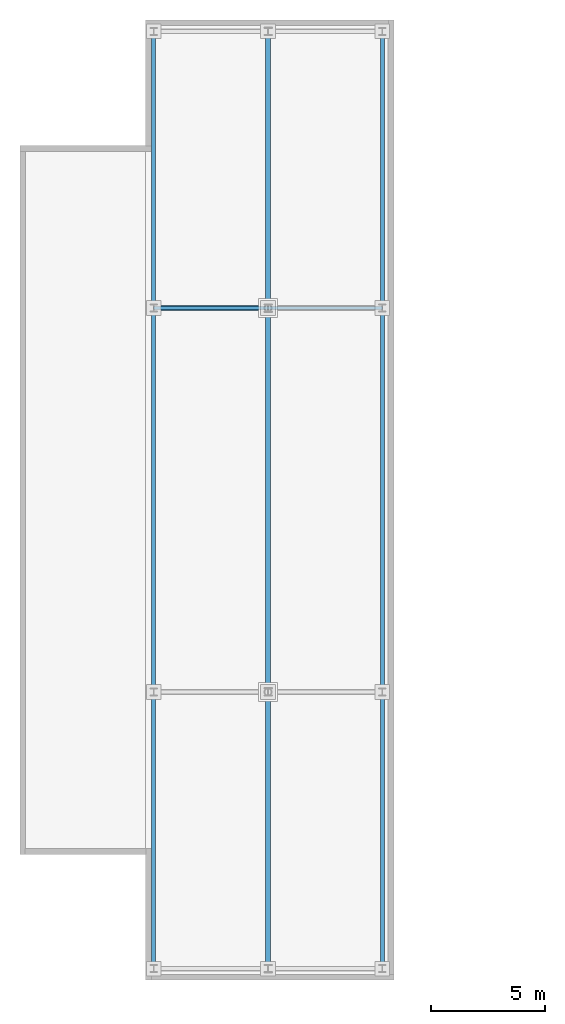
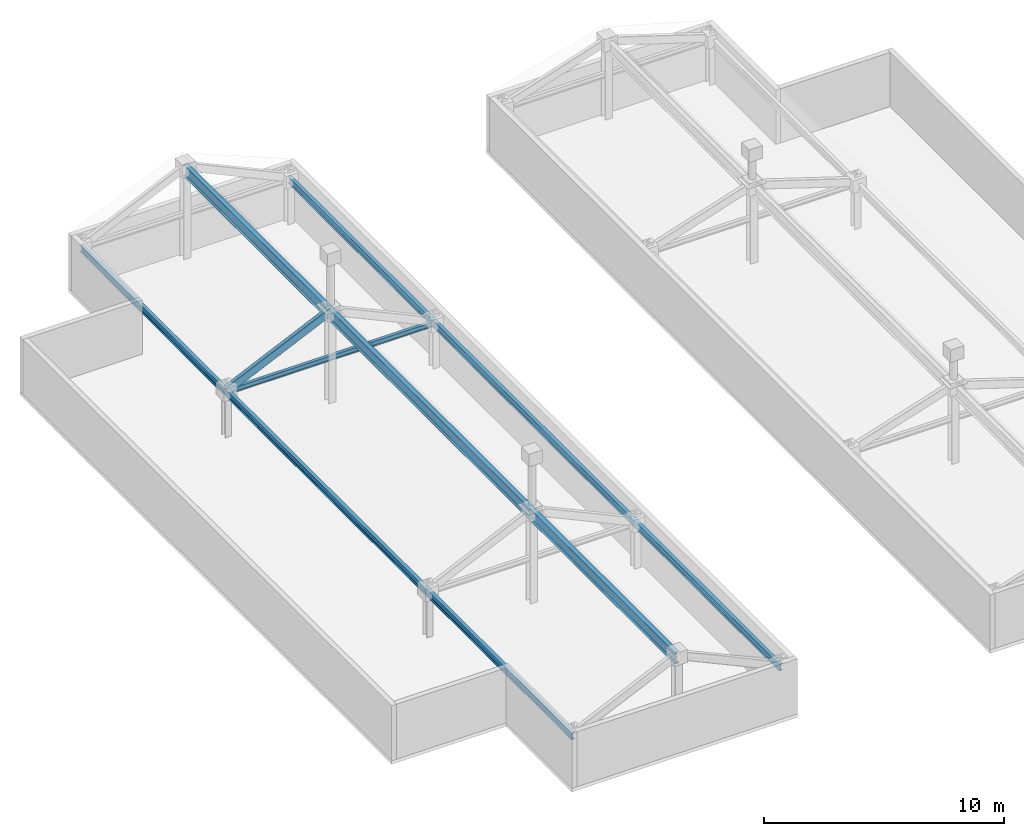
# One storey, part 4 of 9: 4 beams, 1 member.
"""IFC4 building model written with IfcOpenShell, lengths in metres."""

import ifcopenshell
import ifcopenshell.guid

model = None  # the IFC model being written
_history = None  # IfcOwnerHistory: only IFC2X3 demands one
_inside = {}  # id of a spatial element -> (the spatial element, [elements in it])
_under = {}  # id of a project, library or spatial element -> (it, [spatial elements below it])
_declared = {}  # id of a project -> (the project, [libraries it declares])
_typed = {}  # id of a type object -> (the type object, [elements of that type])
_made_of = {}  # id of a material, layer set ... -> (it, [elements and type objects made of it])


def new_model(schema):
    """Start an empty IFC model of exactly this schema.

    Asked for "IFC4X3", IfcOpenShell would pick the latest addendum, in which some entities
    have other attributes; the version numbers below select the first issue.
    IFC2X3 requires an IfcOwnerHistory on every rooted entity: one is made here for all.
    """
    global model, _history
    if schema == "IFC4X3":
        model = ifcopenshell.file(schema_version=(4, 3, 0, 0))
    else:
        model = ifcopenshell.file(schema=schema)
    _inside.clear()
    _under.clear()
    _declared.clear()
    _typed.clear()
    _made_of.clear()
    _history = None
    if model.schema == "IFC2X3":
        org = make("IfcOrganization", Name="unknown")
        user = make(
            "IfcPersonAndOrganization",
            ThePerson=make("IfcPerson", FamilyName="unknown"),
            TheOrganization=org,
        )
        app = make(
            "IfcApplication",
            ApplicationDeveloper=org,
            Version="unknown",
            ApplicationFullName="unknown",
            ApplicationIdentifier="unknown",
        )
        _history = make(
            "IfcOwnerHistory",
            OwningUser=user,
            OwningApplication=app,
            ChangeAction="ADDED",
            CreationDate=0,
        )
    return model


def make(cls, **values):
    """One entity of the class cls with the attributes given. An attribute that is None is left unset."""
    return model.create_entity(
        cls, **{name: value for name, value in values.items() if value is not None}
    )


def rooted(cls, **values):
    """An entity with a GlobalId (a new one), such as an element, a storey or a relation."""
    return make(cls, GlobalId=ifcopenshell.guid.new(), OwnerHistory=_history, **values)


def si_unit(unit_type, name, prefix=None):
    """IfcSIUnit, for example si_unit("LENGTHUNIT", "METRE", prefix="MILLI")."""
    return make("IfcSIUnit", UnitType=unit_type, Prefix=prefix, Name=name)


def assignment(units):
    """IfcUnitAssignment: the units of a project."""
    return None if units is None else make("IfcUnitAssignment", Units=units)


def point(xyz):
    """IfcCartesianPoint."""
    return None if xyz is None else make("IfcCartesianPoint", Coordinates=xyz)


def direction(xyz):
    """IfcDirection."""
    return None if xyz is None else make("IfcDirection", DirectionRatios=xyz)


def frame(location, z_axis=None, x_axis=None):
    """IfcAxis2Placement3D, a coordinate frame: its origin and axes. An axis left out is left unset."""
    return make(
        "IfcAxis2Placement3D",
        Location=point(location),
        Axis=direction(z_axis),
        RefDirection=direction(x_axis),
    )


def frame_2d(location, x_axis=None):
    """IfcAxis2Placement2D, a coordinate frame in the plane: its origin and x axis."""
    return make(
        "IfcAxis2Placement2D", Location=point(location), RefDirection=direction(x_axis)
    )


def origin():
    """The frame at (0, 0, 0) with its axes left unset."""
    return frame((0.0, 0.0, 0.0))


def origin_2d():
    """The frame at (0, 0) in the plane with its x axis left unset."""
    return frame_2d((0.0, 0.0))


def place(relative_to, where):
    """IfcLocalPlacement: puts the frame where relative to a parent placement (None: the world)."""
    return make(
        "IfcLocalPlacement", PlacementRelTo=relative_to, RelativePlacement=where
    )


def context(
    kind, dimensions, precision=None, world=None, true_north=None, identifier=None
):
    """IfcGeometricRepresentationContext, for example the 3D "Model" context."""
    return make(
        "IfcGeometricRepresentationContext",
        ContextIdentifier=identifier,
        ContextType=kind,
        CoordinateSpaceDimension=dimensions,
        Precision=precision,
        WorldCoordinateSystem=world,
        TrueNorth=true_north,
    )


def subcontext(parent, identifier, kind, view, scale=None):
    """IfcGeometricRepresentationSubContext, for example "Body" below "Model"."""
    return make(
        "IfcGeometricRepresentationSubContext",
        ContextIdentifier=identifier,
        ContextType=kind,
        ParentContext=parent,
        TargetScale=scale,
        TargetView=view,
    )


def project(units=None, contexts=None):
    """IfcProject with its units and contexts."""
    return rooted(
        "IfcProject",
        Name="project",
        RepresentationContexts=contexts,
        UnitsInContext=assignment(units),
    )


def spatial(cls, under=None, at=None, **own):
    """A site, building, storey or space (cls), placed at a placement, below another one or the project."""
    s = rooted(cls, ObjectPlacement=at, **own)
    if under is not None:
        _under.setdefault(under.id(), (under, []))[1].append(s)
    return s


def profile(cls, at=None, kind="AREA", **sizes):
    """A parametric profile (cls). Its sizes go by their IFC names, for example OverallWidth=200.0."""
    return make(cls, ProfileType=kind, Position=at, **sizes)


def hollow_rectangle(**sizes):
    """IfcRectangleHollowProfileDef."""
    return profile("IfcRectangleHollowProfileDef", **sizes)


def i_section(**sizes):
    """IfcIShapeProfileDef."""
    return profile("IfcIShapeProfileDef", **sizes)


def extrude(swept, where, along, depth):
    """IfcExtrudedAreaSolid: the profile swept, set in the frame where, extruded along a direction by depth."""
    return make(
        "IfcExtrudedAreaSolid",
        SweptArea=swept,
        Position=where,
        ExtrudedDirection=direction(along),
        Depth=depth,
    )


def shape(context_of_items, identifier, shape_type, items):
    """IfcShapeRepresentation: the items that make up one representation, for example the "Body"."""
    return make(
        "IfcShapeRepresentation",
        ContextOfItems=context_of_items,
        RepresentationIdentifier=identifier,
        RepresentationType=shape_type,
        Items=items,
    )


def material(Name=None, Category=None):
    """IfcMaterial."""
    return make("IfcMaterial", Name=Name, Category=Category)


def material_profile(
    of_material, cross_section, Name=None, Category=None, Priority=None
):
    """IfcMaterialProfile: a cross section and its material."""
    return make(
        "IfcMaterialProfile",
        Name=Name,
        Material=of_material,
        Profile=cross_section,
        Priority=Priority,
        Category=Category,
    )


def profile_set(profiles, Name=None, composite=None):
    """IfcMaterialProfileSet."""
    return make(
        "IfcMaterialProfileSet",
        Name=Name,
        MaterialProfiles=profiles,
        CompositeProfile=composite,
    )


def made_of(thing, what):
    """Note that an element or type object is made of a material, layer set ...; save() writes the relation."""
    if what is not None:
        _made_of.setdefault(what.id(), (what, []))[1].append(thing)
    return thing


def type_object(cls, material=None, **own):
    """A type object (cls), such as IfcWallType, which elements share."""
    return made_of(rooted(cls, **own), material)


def element(
    cls,
    number,
    at=None,
    inside=None,
    cuts=None,
    type_object=None,
    material=None,
    context=None,
    identifier="Body",
    shape_type=None,
    held_by="IfcProductDefinitionShape",
    body=None,
    shapes=None,
    **own,
):
    """One element of the class cls, such as IfcWall. Its Tag is "e" and its number.

    at: its placement. inside: the storey or other place that contains it. cuts: it is an
    opening in that element (IfcRelVoidsElement). A single representation is given by context,
    identifier, shape_type and body (its items); several are given by shapes. held_by: the class
    of the entity that holds the representations. save() writes the other relations.
    """
    e = rooted(cls, Tag="e%d" % number, ObjectPlacement=at, **own)
    if body is not None:
        shapes = [shape(context, identifier, shape_type, body)]
    if shapes is not None:
        e.Representation = make(held_by, Representations=shapes)
    if inside is not None:
        _inside.setdefault(inside.id(), (inside, []))[1].append(e)
    if cuts is not None:
        rooted(
            "IfcRelVoidsElement", RelatingBuildingElement=cuts, RelatedOpeningElement=e
        )
    if type_object is not None:
        _typed.setdefault(type_object.id(), (type_object, []))[1].append(e)
    return made_of(e, material)


def aggregate(whole, parts):
    """IfcRelAggregates: a whole, such as a stair, and the parts it consists of."""
    return rooted("IfcRelAggregates", RelatingObject=whole, RelatedObjects=parts)


def save(model, path):
    """Write the relations noted so far, then the file.

    IfcRelAggregates (storeys below a building ...), IfcRelContainedInSpatialStructure (elements
    in a storey), IfcRelDefinesByType, IfcRelAssociatesMaterial and IfcRelDeclares: one each for
    every whole, place, type object, material and project.
    """
    for whole, parts in _under.values():
        aggregate(whole, parts)
    for where, things in _inside.values():
        rooted(
            "IfcRelContainedInSpatialStructure",
            RelatedElements=things,
            RelatingStructure=where,
        )
    for kind, things in _typed.values():
        rooted("IfcRelDefinesByType", RelatedObjects=things, RelatingType=kind)
    for what, things in _made_of.values():
        rooted("IfcRelAssociatesMaterial", RelatedObjects=things, RelatingMaterial=what)
    for by, libraries in _declared.values():
        rooted("IfcRelDeclares", RelatingContext=by, RelatedDefinitions=libraries)
    model.write(path)


model = new_model("IFC4")

# Units and contexts
model_context = context("Model", 3, precision=1e-05, world=origin(), true_north=direction((0.0, 1.0)))
body_context = subcontext(model_context, "Body", "Model", "MODEL_VIEW")
ifc_project = project(units=[si_unit("LENGTHUNIT", "METRE"), si_unit("AREAUNIT", "SQUARE_METRE"), si_unit("VOLUMEUNIT", "CUBIC_METRE"), si_unit("PLANEANGLEUNIT", "RADIAN"), si_unit("MASSUNIT", "GRAM", prefix="KILO")], contexts=[model_context])

# Site, building, storey
site_placement = place(None, origin())
site = spatial("IfcSite", under=ifc_project, at=site_placement, CompositionType="ELEMENT")
building_placement = place(site_placement, origin())
building = spatial("IfcBuilding", under=site, at=building_placement, Name="Cairnveth Concourse Tower", CompositionType="ELEMENT")
storey_placement = place(building_placement, frame((0.0, 0.0, 335.5)))
storey = spatial("IfcBuildingStorey", under=building, at=storey_placement, Name="RF", CompositionType="ELEMENT", Elevation=335.5)

# Member
ifc_material_1 = material(Name="Steel C350L0 (350 MPa)", Category="steel")
ifc_material_profile_1 = material_profile(ifc_material_1, hollow_rectangle(XDim=0.199951171875, YDim=0.39990234375, WallThickness=0.012451171875, InnerFilletRadius=0.012939453125, OuterFilletRadius=0.02490234375, at=origin_2d()), Name="400x200x12.5RHS")
ifc_profile_set_1 = profile_set([ifc_material_profile_1], Name="Steel C350L0 (350 MPa)")
member_type = type_object("IfcMemberType", Name="CROWN GABLE CHORD 400X200X12.5RHS", PredefinedType="CHORD", material=ifc_profile_set_1)
member_placement = place(storey_placement, frame((36.85009765625, 47.39990234375, 2.35009765625), z_axis=(0.908503925861, 0.0, 0.417876317461), x_axis=(0.0, 1.0, 0.0)))
element("IfcMember", 1, at=member_placement, inside=storey, type_object=member_type, Name="Structural Brace GCH-WL3 RF", PredefinedType="CHORD", context=body_context, shape_type="SweptSolid", body=[
    extrude(hollow_rectangle(XDim=0.199951171875, YDim=0.39990234375, WallThickness=0.012451171875, InnerFilletRadius=0.012939453125, OuterFilletRadius=0.02490234375, at=origin_2d()), origin(), (0.0, 0.0, 1.0), 5.503662109375),
])

# Beams
ifc_material_2 = material(Name="Steel Grade 350", Category="steel")
ifc_material_profile_2 = material_profile(ifc_material_2, i_section(OverallWidth=0.22802734375, OverallDepth=0.60205078125, WebThickness=0.010498046875, FlangeThickness=0.014892578125, FilletRadius=0.013916015625, at=origin_2d()), Name="610UB101")
ifc_profile_set_2 = profile_set([ifc_material_profile_2], Name="Steel Grade 350")
beam_type_1 = type_object("IfcBeamType", Name="CROWN RIDGE BEAM 610UB101", PredefinedType="BEAM", material=ifc_profile_set_2)
beam_1_placement = place(storey_placement, frame((41.85009765625, 18.5, 4.489990234375), z_axis=(0.0, 1.0, 0.0), x_axis=(-1.0, 0.0, 0.0)))
element("IfcBeam", 2, at=beam_1_placement, inside=storey, type_object=beam_type_1, Name="Crown Peak Ridge Beam W", PredefinedType="BEAM", context=body_context, shape_type="SweptSolid", body=[
    extrude(i_section(OverallWidth=0.22802734375, OverallDepth=0.60205078125, WebThickness=0.010498046875, FlangeThickness=0.014892578125, FilletRadius=0.013916015625, at=origin_2d()), origin(), (0.0, 0.0, 1.0), 41.0),
])
ifc_material_profile_3 = material_profile(ifc_material_2, i_section(OverallWidth=0.14599609375, OverallDepth=0.256103515625, WebThickness=0.00634765625, FlangeThickness=0.010986328125, FilletRadius=0.009033203125, at=origin_2d()), Name="250UB37.3")
ifc_profile_set_3 = profile_set([ifc_material_profile_3], Name="Steel Grade 350")
beam_type_2 = type_object("IfcBeamType", Name="ZONE 4 FLOOR JOIST 250UB37.3", PredefinedType="JOIST", material=ifc_profile_set_3)
beam_2_placement = place(storey_placement, frame((36.85009765625, 47.39990234375, 2.25), z_axis=(1.0, 0.0, 0.0), x_axis=(0.0, 1.0, 0.0)))
element("IfcBeam", 3, at=beam_2_placement, inside=storey, type_object=beam_type_2, Name="Crown Eaves Tie Beam W3", PredefinedType="JOIST", context=body_context, shape_type="SweptSolid", body=[
    extrude(i_section(OverallWidth=0.14599609375, OverallDepth=0.256103515625, WebThickness=0.00634765625, FlangeThickness=0.010986328125, FilletRadius=0.009033203125, at=origin_2d()), origin(), (0.0, 0.0, 1.0), 10.0),
])
ifc_material_profile_4 = material_profile(ifc_material_2, i_section(OverallWidth=0.172119140625, OverallDepth=0.35888671875, WebThickness=0.008056640625, FlangeThickness=0.012939453125, FilletRadius=0.010986328125, at=origin_2d()), Name="360UB56.7")
ifc_profile_set_4 = profile_set([ifc_material_profile_4], Name="Steel Grade 350")
beam_type_3 = type_object("IfcBeamType", Name="ZONE 4 SPANDREL BEAM 360UB56.7", PredefinedType="SPANDREL", material=ifc_profile_set_4)
for number, where, z_axis, x_axis, name in (
    (4, (36.85009765625, 18.5, 2.25), (0.0, 1.0, 0.0), (-1.0, 0.0, 0.0), "Crown Peak Eave Beam LW"),
    (5, (46.85009765625, 18.5, 2.25), (0.0, 1.0, 0.0), (-1.0, 0.0, 0.0), "Crown Peak Eave Beam RW"),
):
    element("IfcBeam", number, at=place(storey_placement, frame(where, z_axis=z_axis, x_axis=x_axis)), inside=storey, type_object=beam_type_3, Name=name, PredefinedType="SPANDREL", context=body_context, shape_type="SweptSolid", body=[
        extrude(i_section(OverallWidth=0.172119140625, OverallDepth=0.35888671875, WebThickness=0.008056640625, FlangeThickness=0.012939453125, FilletRadius=0.010986328125, at=origin_2d()), origin(), (0.0, 0.0, 1.0), 41.0),
    ])

save(model, "model.ifc")
